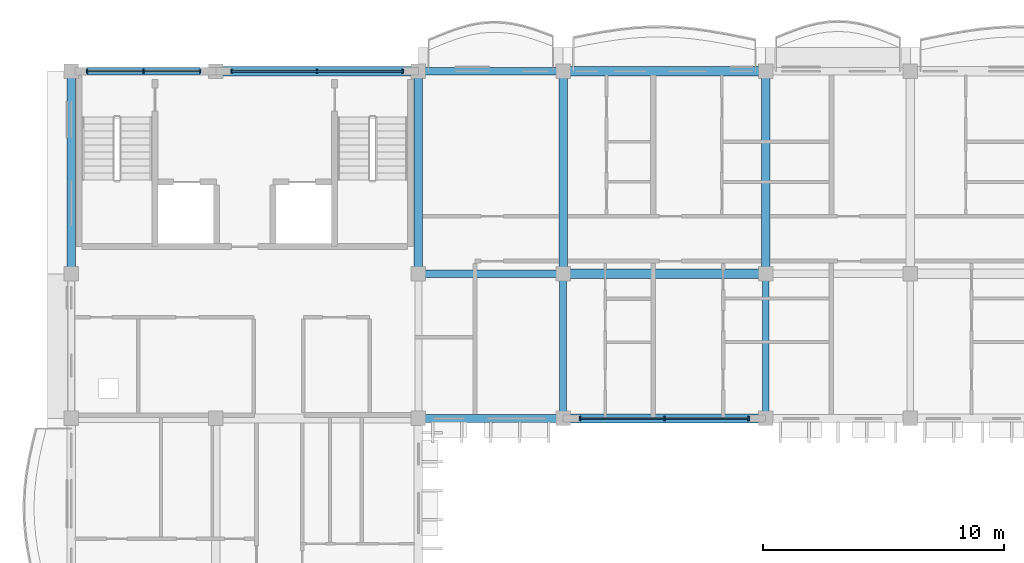
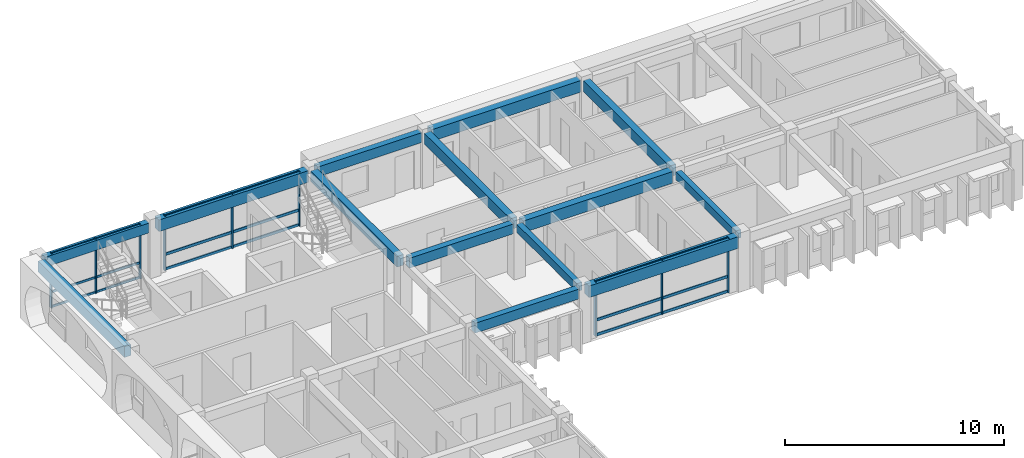
# One storey, part 9 of 68: 18 members, 14 beams, 3 elements without a shape of their own.
"""IFC4 building model written with IfcOpenShell, lengths in metres."""

import ifcopenshell
import ifcopenshell.guid

model = None  # the IFC model being written
_history = None  # IfcOwnerHistory: only IFC2X3 demands one
_inside = {}  # id of a spatial element -> (the spatial element, [elements in it])
_under = {}  # id of a project, library or spatial element -> (it, [spatial elements below it])
_declared = {}  # id of a project -> (the project, [libraries it declares])
_typed = {}  # id of a type object -> (the type object, [elements of that type])
_made_of = {}  # id of a material, layer set ... -> (it, [elements and type objects made of it])


def new_model(schema):
    """Start an empty IFC model of exactly this schema.

    Asked for "IFC4X3", IfcOpenShell would pick the latest addendum, in which some entities
    have other attributes; the version numbers below select the first issue.
    IFC2X3 requires an IfcOwnerHistory on every rooted entity: one is made here for all.
    """
    global model, _history
    if schema == "IFC4X3":
        model = ifcopenshell.file(schema_version=(4, 3, 0, 0))
    else:
        model = ifcopenshell.file(schema=schema)
    _inside.clear()
    _under.clear()
    _declared.clear()
    _typed.clear()
    _made_of.clear()
    _history = None
    if model.schema == "IFC2X3":
        org = make("IfcOrganization", Name="unknown")
        user = make(
            "IfcPersonAndOrganization",
            ThePerson=make("IfcPerson", FamilyName="unknown"),
            TheOrganization=org,
        )
        app = make(
            "IfcApplication",
            ApplicationDeveloper=org,
            Version="unknown",
            ApplicationFullName="unknown",
            ApplicationIdentifier="unknown",
        )
        _history = make(
            "IfcOwnerHistory",
            OwningUser=user,
            OwningApplication=app,
            ChangeAction="ADDED",
            CreationDate=0,
        )
    return model


def make(cls, **values):
    """One entity of the class cls with the attributes given. An attribute that is None is left unset."""
    return model.create_entity(
        cls, **{name: value for name, value in values.items() if value is not None}
    )


def rooted(cls, **values):
    """An entity with a GlobalId (a new one), such as an element, a storey or a relation."""
    return make(cls, GlobalId=ifcopenshell.guid.new(), OwnerHistory=_history, **values)


def si_unit(unit_type, name, prefix=None):
    """IfcSIUnit, for example si_unit("LENGTHUNIT", "METRE", prefix="MILLI")."""
    return make("IfcSIUnit", UnitType=unit_type, Prefix=prefix, Name=name)


def assignment(units):
    """IfcUnitAssignment: the units of a project."""
    return None if units is None else make("IfcUnitAssignment", Units=units)


def point(xyz):
    """IfcCartesianPoint."""
    return None if xyz is None else make("IfcCartesianPoint", Coordinates=xyz)


def direction(xyz):
    """IfcDirection."""
    return None if xyz is None else make("IfcDirection", DirectionRatios=xyz)


def frame(location, z_axis=None, x_axis=None):
    """IfcAxis2Placement3D, a coordinate frame: its origin and axes. An axis left out is left unset."""
    return make(
        "IfcAxis2Placement3D",
        Location=point(location),
        Axis=direction(z_axis),
        RefDirection=direction(x_axis),
    )


def frame_2d(location, x_axis=None):
    """IfcAxis2Placement2D, a coordinate frame in the plane: its origin and x axis."""
    return make(
        "IfcAxis2Placement2D", Location=point(location), RefDirection=direction(x_axis)
    )


def origin():
    """The frame at (0, 0, 0) with its axes left unset."""
    return frame((0.0, 0.0, 0.0))


def origin_2d():
    """The frame at (0, 0) in the plane with its x axis left unset."""
    return frame_2d((0.0, 0.0))


def place(relative_to, where):
    """IfcLocalPlacement: puts the frame where relative to a parent placement (None: the world)."""
    return make(
        "IfcLocalPlacement", PlacementRelTo=relative_to, RelativePlacement=where
    )


def context(
    kind, dimensions, precision=None, world=None, true_north=None, identifier=None
):
    """IfcGeometricRepresentationContext, for example the 3D "Model" context."""
    return make(
        "IfcGeometricRepresentationContext",
        ContextIdentifier=identifier,
        ContextType=kind,
        CoordinateSpaceDimension=dimensions,
        Precision=precision,
        WorldCoordinateSystem=world,
        TrueNorth=true_north,
    )


def subcontext(parent, identifier, kind, view, scale=None):
    """IfcGeometricRepresentationSubContext, for example "Body" below "Model"."""
    return make(
        "IfcGeometricRepresentationSubContext",
        ContextIdentifier=identifier,
        ContextType=kind,
        ParentContext=parent,
        TargetScale=scale,
        TargetView=view,
    )


def project(units=None, contexts=None):
    """IfcProject with its units and contexts."""
    return rooted(
        "IfcProject",
        Name="project",
        RepresentationContexts=contexts,
        UnitsInContext=assignment(units),
    )


def spatial(cls, under=None, at=None, **own):
    """A site, building, storey or space (cls), placed at a placement, below another one or the project."""
    s = rooted(cls, ObjectPlacement=at, **own)
    if under is not None:
        _under.setdefault(under.id(), (under, []))[1].append(s)
    return s


def profile(cls, at=None, kind="AREA", **sizes):
    """A parametric profile (cls). Its sizes go by their IFC names, for example OverallWidth=200.0."""
    return make(cls, ProfileType=kind, Position=at, **sizes)


def rectangle(**sizes):
    """IfcRectangleProfileDef."""
    return profile("IfcRectangleProfileDef", **sizes)


def extrude(swept, where, along, depth):
    """IfcExtrudedAreaSolid: the profile swept, set in the frame where, extruded along a direction by depth."""
    return make(
        "IfcExtrudedAreaSolid",
        SweptArea=swept,
        Position=where,
        ExtrudedDirection=direction(along),
        Depth=depth,
    )


def shape(context_of_items, identifier, shape_type, items):
    """IfcShapeRepresentation: the items that make up one representation, for example the "Body"."""
    return make(
        "IfcShapeRepresentation",
        ContextOfItems=context_of_items,
        RepresentationIdentifier=identifier,
        RepresentationType=shape_type,
        Items=items,
    )


def material(Name=None, Category=None):
    """IfcMaterial."""
    return make("IfcMaterial", Name=Name, Category=Category)


def material_profile(
    of_material, cross_section, Name=None, Category=None, Priority=None
):
    """IfcMaterialProfile: a cross section and its material."""
    return make(
        "IfcMaterialProfile",
        Name=Name,
        Material=of_material,
        Profile=cross_section,
        Priority=Priority,
        Category=Category,
    )


def profile_set(profiles, Name=None, composite=None):
    """IfcMaterialProfileSet."""
    return make(
        "IfcMaterialProfileSet",
        Name=Name,
        MaterialProfiles=profiles,
        CompositeProfile=composite,
    )


def made_of(thing, what):
    """Note that an element or type object is made of a material, layer set ...; save() writes the relation."""
    if what is not None:
        _made_of.setdefault(what.id(), (what, []))[1].append(thing)
    return thing


def type_object(cls, material=None, **own):
    """A type object (cls), such as IfcWallType, which elements share."""
    return made_of(rooted(cls, **own), material)


def element(
    cls,
    number,
    at=None,
    inside=None,
    cuts=None,
    type_object=None,
    material=None,
    context=None,
    identifier="Body",
    shape_type=None,
    held_by="IfcProductDefinitionShape",
    body=None,
    shapes=None,
    **own,
):
    """One element of the class cls, such as IfcWall. Its Tag is "e" and its number.

    at: its placement. inside: the storey or other place that contains it. cuts: it is an
    opening in that element (IfcRelVoidsElement). A single representation is given by context,
    identifier, shape_type and body (its items); several are given by shapes. held_by: the class
    of the entity that holds the representations. save() writes the other relations.
    """
    e = rooted(cls, Tag="e%d" % number, ObjectPlacement=at, **own)
    if body is not None:
        shapes = [shape(context, identifier, shape_type, body)]
    if shapes is not None:
        e.Representation = make(held_by, Representations=shapes)
    if inside is not None:
        _inside.setdefault(inside.id(), (inside, []))[1].append(e)
    if cuts is not None:
        rooted(
            "IfcRelVoidsElement", RelatingBuildingElement=cuts, RelatedOpeningElement=e
        )
    if type_object is not None:
        _typed.setdefault(type_object.id(), (type_object, []))[1].append(e)
    return made_of(e, material)


def aggregate(whole, parts):
    """IfcRelAggregates: a whole, such as a stair, and the parts it consists of."""
    return rooted("IfcRelAggregates", RelatingObject=whole, RelatedObjects=parts)


def save(model, path):
    """Write the relations noted so far, then the file.

    IfcRelAggregates (storeys below a building ...), IfcRelContainedInSpatialStructure (elements
    in a storey), IfcRelDefinesByType, IfcRelAssociatesMaterial and IfcRelDeclares: one each for
    every whole, place, type object, material and project.
    """
    for whole, parts in _under.values():
        aggregate(whole, parts)
    for where, things in _inside.values():
        rooted(
            "IfcRelContainedInSpatialStructure",
            RelatedElements=things,
            RelatingStructure=where,
        )
    for kind, things in _typed.values():
        rooted("IfcRelDefinesByType", RelatedObjects=things, RelatingType=kind)
    for what, things in _made_of.values():
        rooted("IfcRelAssociatesMaterial", RelatedObjects=things, RelatingMaterial=what)
    for by, libraries in _declared.values():
        rooted("IfcRelDeclares", RelatingContext=by, RelatedDefinitions=libraries)
    model.write(path)


model = new_model("IFC4")

# Units and contexts
model_context = context("Model", 3, precision=1e-05, world=origin(), true_north=direction((0.0, 1.0)))
body_context = subcontext(model_context, "Body", "Model", "MODEL_VIEW")
ifc_project = project(units=[si_unit("LENGTHUNIT", "METRE"), si_unit("AREAUNIT", "SQUARE_METRE"), si_unit("VOLUMEUNIT", "CUBIC_METRE"), si_unit("PLANEANGLEUNIT", "RADIAN"), si_unit("MASSUNIT", "GRAM", prefix="KILO"), si_unit("THERMODYNAMICTEMPERATUREUNIT", "KELVIN")], contexts=[model_context])

# Site, building, storey
site_placement = place(None, origin())
site = spatial("IfcSite", under=ifc_project, at=site_placement, CompositionType="ELEMENT")
building_placement = place(site_placement, origin())
building = spatial("IfcBuilding", under=site, at=building_placement, Name="Thalorik Housing Commons", CompositionType="ELEMENT")
storey_placement = place(building_placement, frame((0.0, 0.0, 24.60009765625)))
storey = spatial("IfcBuildingStorey", under=building, at=storey_placement, Name="L07", CompositionType="ELEMENT", Elevation=24.60009765625)

# Curtain wall, members
ifc_material_1 = material(Name="Anodised aluminium and solar-control low-E glass", Category="aluminium")
curtain_wall_type_1 = type_object("IfcCurtainWallType", Name="ARC-CW-CORE", PredefinedType="USERDEFINED", material=ifc_material_1)
curtain_wall_1_placement = place(storey_placement, origin())
curtain_wall_1 = element("IfcCurtainWall", 1, at=curtain_wall_1_placement, inside=storey, type_object=curtain_wall_type_1, Name="L07 Curtain Wall CW-CORE-L07-A-032", ObjectType="CURTAIN WALL", PredefinedType="USERDEFINED")
ifc_material_2 = material(Name="Anodised aluminium 6063-T6", Category="aluminium")
ifc_material_profile_1 = material_profile(ifc_material_2, rectangle(XDim=0.06005859375, YDim=0.159912109375, at=origin_2d()), Name="ALU MUL 60x160", Category="aluminium")
ifc_profile_set_1 = profile_set([ifc_material_profile_1], Name="Anodised aluminium 6063-T6")
member_type_1 = type_object("IfcMemberType", Name="ARC-CW-MUL-60x160", PredefinedType="MULLION", material=ifc_profile_set_1)
member_1_placement = place(storey_placement, frame((13.75, 123.60009765625, 0.0), z_axis=(0.0, 0.0, 1.0), x_axis=(-1.0, 0.0, 0.0)))
member_1 = element("IfcMember", 2, at=member_1_placement, type_object=member_type_1, Name="CW-CORE-L07-A-032 Mullion 1", PredefinedType="MULLION", context=body_context, shape_type="SweptSolid", body=[
    extrude(rectangle(XDim=0.06005859375, YDim=0.159912109375, at=origin_2d()), origin(), (0.0, 0.0, 1.0), 3.039794921875),
])
member_2_placement = place(storey_placement, frame((11.39990234375, 123.60009765625, 0.0), z_axis=(0.0, 0.0, 1.0), x_axis=(-1.0, 0.0, 0.0)))
member_2 = element("IfcMember", 3, at=member_2_placement, type_object=member_type_1, Name="CW-CORE-L07-A-032 Mullion 2", PredefinedType="MULLION", context=body_context, shape_type="SweptSolid", body=[
    extrude(rectangle(XDim=0.06005859375, YDim=0.159912109375, at=origin_2d()), origin(), (0.0, 0.0, 1.0), 3.039794921875),
])
member_3_placement = place(storey_placement, frame((9.050048828125, 123.60009765625, 0.0), z_axis=(0.0, 0.0, 1.0), x_axis=(-1.0, 0.0, 0.0)))
member_3 = element("IfcMember", 4, at=member_3_placement, type_object=member_type_1, Name="CW-CORE-L07-A-032 Mullion 3", PredefinedType="MULLION", context=body_context, shape_type="SweptSolid", body=[
    extrude(rectangle(XDim=0.06005859375, YDim=0.159912109375, at=origin_2d()), origin(), (0.0, 0.0, 1.0), 3.039794921875),
])

curtain_wall_type_2 = type_object("IfcCurtainWallType", Name="ARC-CW-LOUNGE", PredefinedType="USERDEFINED", material=ifc_material_1)
curtain_wall_2_placement = place(storey_placement, origin())
curtain_wall_2 = element("IfcCurtainWall", 5, at=curtain_wall_2_placement, inside=storey, type_object=curtain_wall_type_2, Name="L07 Curtain Wall CW-RES-L07-A-029", ObjectType="CURTAIN WALL", PredefinedType="USERDEFINED")
ifc_material_profile_2 = material_profile(ifc_material_2, rectangle(XDim=0.06494140625, YDim=0.179931640625, at=origin_2d()), Name="ALU MUL 65x180", Category="aluminium")
ifc_profile_set_2 = profile_set([ifc_material_profile_2], Name="Anodised aluminium 6063-T6")
member_type_2 = type_object("IfcMemberType", Name="ARC-CW-MUL-65x180", PredefinedType="MULLION", material=ifc_profile_set_2)
member_4_placement = place(storey_placement, frame((29.5, 109.199951171875, 0.0), z_axis=(0.0, 0.0, 1.0), x_axis=(1.0, 0.0, 0.0)))
member_4 = element("IfcMember", 6, at=member_4_placement, type_object=member_type_2, Name="CW-RES-L07-A-029 Mullion 1", PredefinedType="MULLION", context=body_context, shape_type="SweptSolid", body=[
    extrude(rectangle(XDim=0.06494140625, YDim=0.179931640625, at=origin_2d()), origin(), (0.0, 0.0, 1.0), 3.039794921875),
])
member_5_placement = place(storey_placement, frame((33.0, 109.199951171875, 0.0), z_axis=(0.0, 0.0, 1.0), x_axis=(1.0, 0.0, 0.0)))
member_5 = element("IfcMember", 7, at=member_5_placement, type_object=member_type_2, Name="CW-RES-L07-A-029 Mullion 2", PredefinedType="MULLION", context=body_context, shape_type="SweptSolid", body=[
    extrude(rectangle(XDim=0.06494140625, YDim=0.179931640625, at=origin_2d()), origin(), (0.0, 0.0, 1.0), 3.039794921875),
])
member_6_placement = place(storey_placement, frame((36.5, 109.199951171875, 0.0), z_axis=(0.0, 0.0, 1.0), x_axis=(1.0, 0.0, 0.0)))
member_6 = element("IfcMember", 8, at=member_6_placement, type_object=member_type_2, Name="CW-RES-L07-A-029 Mullion 3", PredefinedType="MULLION", context=body_context, shape_type="SweptSolid", body=[
    extrude(rectangle(XDim=0.06494140625, YDim=0.179931640625, at=origin_2d()), origin(), (0.0, 0.0, 1.0), 3.039794921875),
])

curtain_wall_3_placement = place(storey_placement, origin())
curtain_wall_3 = element("IfcCurtainWall", 9, at=curtain_wall_3_placement, inside=storey, type_object=curtain_wall_type_1, Name="L07 Curtain Wall CW-CORE-L07-A-031", ObjectType="CURTAIN WALL", PredefinedType="USERDEFINED")
member_7_placement = place(storey_placement, frame((22.14990234375, 123.60009765625, 0.0), z_axis=(0.0, 0.0, 1.0), x_axis=(-1.0, 0.0, 0.0)))
member_7 = element("IfcMember", 10, at=member_7_placement, type_object=member_type_2, Name="CW-CORE-L07-A-031 Mullion 1", PredefinedType="MULLION", context=body_context, shape_type="SweptSolid", body=[
    extrude(rectangle(XDim=0.06494140625, YDim=0.179931640625, at=origin_2d()), origin(), (0.0, 0.0, 1.0), 3.039794921875),
])
member_8_placement = place(storey_placement, frame((18.60009765625, 123.60009765625, 0.0), z_axis=(0.0, 0.0, 1.0), x_axis=(-1.0, 0.0, 0.0)))
member_8 = element("IfcMember", 11, at=member_8_placement, type_object=member_type_2, Name="CW-CORE-L07-A-031 Mullion 2", PredefinedType="MULLION", context=body_context, shape_type="SweptSolid", body=[
    extrude(rectangle(XDim=0.06494140625, YDim=0.179931640625, at=origin_2d()), origin(), (0.0, 0.0, 1.0), 3.039794921875),
])
member_9_placement = place(storey_placement, frame((15.050048828125, 123.60009765625, 0.0), z_axis=(0.0, 0.0, 1.0), x_axis=(-1.0, 0.0, 0.0)))
member_9 = element("IfcMember", 12, at=member_9_placement, type_object=member_type_2, Name="CW-CORE-L07-A-031 Mullion 3", PredefinedType="MULLION", context=body_context, shape_type="SweptSolid", body=[
    extrude(rectangle(XDim=0.06494140625, YDim=0.179931640625, at=origin_2d()), origin(), (0.0, 0.0, 1.0), 3.039794921875),
])

# Member
ifc_material_profile_3 = material_profile(ifc_material_2, rectangle(XDim=0.06005859375, YDim=0.1201171875, at=origin_2d()), Name="ALU TRN 60x120", Category="aluminium")
ifc_profile_set_3 = profile_set([ifc_material_profile_3], Name="Anodised aluminium 6063-T6")
member_type_3 = type_object("IfcMemberType", Name="ARC-CW-TRN-60x120", PredefinedType="USERDEFINED", material=ifc_profile_set_3)
member_10_placement = place(storey_placement, frame((13.75, 123.60009765625, 0.054931640625), z_axis=(-1.0, 0.0, 0.0), x_axis=(0.0, -1.0, 0.0)))
member_10 = element("IfcMember", 13, at=member_10_placement, type_object=member_type_3, Name="CW-CORE-L07-A-032 Transom 1", ObjectType="TRANSOM", PredefinedType="USERDEFINED", context=body_context, shape_type="SweptSolid", body=[
    extrude(rectangle(XDim=0.06005859375, YDim=0.1201171875, at=origin_2d()), origin(), (0.0, 0.0, 1.0), 4.699951171875),
])

member_11_placement = place(storey_placement, frame((13.75, 123.60009765625, 0.8798828125), z_axis=(-1.0, 0.0, 0.0), x_axis=(0.0, -1.0, 0.0)))
member_11 = element("IfcMember", 14, at=member_11_placement, type_object=member_type_3, Name="CW-CORE-L07-A-032 Transom 2", ObjectType="TRANSOM", PredefinedType="USERDEFINED", context=body_context, shape_type="SweptSolid", body=[
    extrude(rectangle(XDim=0.06005859375, YDim=0.1201171875, at=origin_2d()), origin(), (0.0, 0.0, 1.0), 4.699951171875),
])

member_12_placement = place(storey_placement, frame((13.75, 123.60009765625, 2.98486328125), z_axis=(-1.0, 0.0, 0.0), x_axis=(0.0, -1.0, 0.0)))
member_12 = element("IfcMember", 15, at=member_12_placement, type_object=member_type_3, Name="CW-CORE-L07-A-032 Transom 3", ObjectType="TRANSOM", PredefinedType="USERDEFINED", context=body_context, shape_type="SweptSolid", body=[
    extrude(rectangle(XDim=0.06005859375, YDim=0.1201171875, at=origin_2d()), origin(), (0.0, 0.0, 1.0), 4.699951171875),
])

aggregate(curtain_wall_1, [member_1, member_2, member_3, member_10, member_11, member_12])

ifc_material_profile_4 = material_profile(ifc_material_2, rectangle(XDim=0.06494140625, YDim=0.14990234375, at=origin_2d()), Name="ALU TRN 65x150", Category="aluminium")
ifc_profile_set_4 = profile_set([ifc_material_profile_4], Name="Anodised aluminium 6063-T6")
member_type_4 = type_object("IfcMemberType", Name="ARC-CW-TRN-65x150", PredefinedType="USERDEFINED", material=ifc_profile_set_4)
member_13_placement = place(storey_placement, frame((29.5, 109.199951171875, 0.054931640625), z_axis=(1.0, 0.0, 0.0), x_axis=(0.0, 1.0, 0.0)))
member_13 = element("IfcMember", 16, at=member_13_placement, type_object=member_type_4, Name="CW-RES-L07-A-029 Transom 1", ObjectType="TRANSOM", PredefinedType="USERDEFINED", context=body_context, shape_type="SweptSolid", body=[
    extrude(rectangle(XDim=0.06494140625, YDim=0.14990234375, at=origin_2d()), origin(), (0.0, 0.0, 1.0), 7.0),
])

member_14_placement = place(storey_placement, frame((29.5, 109.199951171875, 0.8798828125), z_axis=(1.0, 0.0, 0.0), x_axis=(0.0, 1.0, 0.0)))
member_14 = element("IfcMember", 17, at=member_14_placement, type_object=member_type_4, Name="CW-RES-L07-A-029 Transom 2", ObjectType="TRANSOM", PredefinedType="USERDEFINED", context=body_context, shape_type="SweptSolid", body=[
    extrude(rectangle(XDim=0.06494140625, YDim=0.14990234375, at=origin_2d()), origin(), (0.0, 0.0, 1.0), 7.0),
])

member_15_placement = place(storey_placement, frame((29.5, 109.199951171875, 2.98486328125), z_axis=(1.0, 0.0, 0.0), x_axis=(0.0, 1.0, 0.0)))
member_15 = element("IfcMember", 18, at=member_15_placement, type_object=member_type_4, Name="CW-RES-L07-A-029 Transom 3", ObjectType="TRANSOM", PredefinedType="USERDEFINED", context=body_context, shape_type="SweptSolid", body=[
    extrude(rectangle(XDim=0.06494140625, YDim=0.14990234375, at=origin_2d()), origin(), (0.0, 0.0, 1.0), 7.0),
])

aggregate(curtain_wall_2, [member_4, member_5, member_6, member_13, member_14, member_15])

member_16_placement = place(storey_placement, frame((22.14990234375, 123.60009765625, 0.054931640625), z_axis=(-1.0, 0.0, 0.0), x_axis=(0.0, -1.0, 0.0)))
member_16 = element("IfcMember", 19, at=member_16_placement, type_object=member_type_4, Name="CW-CORE-L07-A-031 Transom 1", ObjectType="TRANSOM", PredefinedType="USERDEFINED", context=body_context, shape_type="SweptSolid", body=[
    extrude(rectangle(XDim=0.06494140625, YDim=0.14990234375, at=origin_2d()), origin(), (0.0, 0.0, 1.0), 7.099853515625),
])

member_17_placement = place(storey_placement, frame((22.14990234375, 123.60009765625, 0.8798828125), z_axis=(-1.0, 0.0, 0.0), x_axis=(0.0, -1.0, 0.0)))
member_17 = element("IfcMember", 20, at=member_17_placement, type_object=member_type_4, Name="CW-CORE-L07-A-031 Transom 2", ObjectType="TRANSOM", PredefinedType="USERDEFINED", context=body_context, shape_type="SweptSolid", body=[
    extrude(rectangle(XDim=0.06494140625, YDim=0.14990234375, at=origin_2d()), origin(), (0.0, 0.0, 1.0), 7.099853515625),
])

member_18_placement = place(storey_placement, frame((22.14990234375, 123.60009765625, 2.98486328125), z_axis=(-1.0, 0.0, 0.0), x_axis=(0.0, -1.0, 0.0)))
member_18 = element("IfcMember", 21, at=member_18_placement, type_object=member_type_4, Name="CW-CORE-L07-A-031 Transom 3", ObjectType="TRANSOM", PredefinedType="USERDEFINED", context=body_context, shape_type="SweptSolid", body=[
    extrude(rectangle(XDim=0.06494140625, YDim=0.14990234375, at=origin_2d()), origin(), (0.0, 0.0, 1.0), 7.099853515625),
])

aggregate(curtain_wall_3, [member_7, member_8, member_9, member_16, member_17, member_18])

# Beams
ifc_material_3 = material(Name="Precast concrete C40/50", Category="concrete")
ifc_material_profile_5 = material_profile(ifc_material_3, rectangle(XDim=0.280029296875, YDim=0.449951171875, at=origin_2d()), Name="PC 280x450", Category="concrete")
ifc_profile_set_5 = profile_set([ifc_material_profile_5], Name="Precast concrete C40/50")
beam_type_1 = type_object("IfcBeamType", Name="STR-BM-PC280x450", PredefinedType="BEAM", material=ifc_profile_set_5)
for number, where, z_axis, x_axis, name in (
    (22, (28.800048828125, 109.449951171875, 2.81494140625), (0.0, 1.0, 0.0), (-1.0, 0.0, 0.0), "L07 Beam B-450"),
    (23, (37.199951171875, 109.449951171875, 2.81494140625), (0.0, 1.0, 0.0), (-1.0, 0.0, 0.0), "L07 Beam B-450"),
):
    element("IfcBeam", number, at=place(storey_placement, frame(where, z_axis=z_axis, x_axis=x_axis)), inside=storey, type_object=beam_type_1, Name=name, PredefinedType="BEAM", context=body_context, shape_type="SweptSolid", body=[
        extrude(rectangle(XDim=0.280029296875, YDim=0.449951171875, at=origin_2d()), origin(), (0.0, 0.0, 1.0), 5.5),
    ])
ifc_material_profile_6 = material_profile(ifc_material_3, rectangle(XDim=0.320068359375, YDim=0.550048828125, at=origin_2d()), Name="PC 320x550", Category="concrete")
ifc_profile_set_6 = profile_set([ifc_material_profile_6], Name="Precast concrete C40/50")
beam_type_2 = type_object("IfcBeamType", Name="STR-BM-PC320x550", PredefinedType="BEAM", material=ifc_profile_set_6)
for number, where, z_axis, x_axis, name in (
    (24, (23.050048828125, 109.199951171875, 2.764892578125), (1.0, 0.0, 0.0), (0.0, 1.0, 0.0), "L07 Beam B-550"),
    (25, (23.050048828125, 115.199951171875, 2.764892578125), (1.0, 0.0, 0.0), (0.0, 1.0, 0.0), "L07 Beam B-550"),
    (26, (8.64990234375, 123.60009765625, 2.764892578125), (1.0, 0.0, 0.0), (0.0, 1.0, 0.0), "L07 Beam B-550"),
    (27, (23.050048828125, 123.60009765625, 2.764892578125), (1.0, 0.0, 0.0), (0.0, 1.0, 0.0), "L07 Beam B-550"),
):
    element("IfcBeam", number, at=place(storey_placement, frame(where, z_axis=z_axis, x_axis=x_axis)), inside=storey, type_object=beam_type_2, Name=name, PredefinedType="BEAM", context=body_context, shape_type="SweptSolid", body=[
        extrude(rectangle(XDim=0.320068359375, YDim=0.550048828125, at=origin_2d()), origin(), (0.0, 0.0, 1.0), 5.5),
    ])
ifc_material_profile_7 = material_profile(ifc_material_3, rectangle(XDim=0.35009765625, YDim=0.60009765625, at=origin_2d()), Name="PC 350x600", Category="concrete")
ifc_profile_set_7 = profile_set([ifc_material_profile_7], Name="Precast concrete C40/50")
beam_type_3 = type_object("IfcBeamType", Name="STR-BM-PC350x600", PredefinedType="BEAM", material=ifc_profile_set_7)
for number, where, z_axis, x_axis, name in (
    (28, (8.39990234375, 115.449951171875, 2.739990234375), (0.0, 1.0, 0.0), (-1.0, 0.0, 0.0), "L07 Beam B-600"),
    (29, (22.800048828125, 115.449951171875, 2.739990234375), (0.0, 1.0, 0.0), (-1.0, 0.0, 0.0), "L07 Beam B-600"),
    (30, (28.800048828125, 115.449951171875, 2.739990234375), (0.0, 1.0, 0.0), (-1.0, 0.0, 0.0), "L07 Beam B-600"),
    (31, (37.199951171875, 115.449951171875, 2.739990234375), (0.0, 1.0, 0.0), (-1.0, 0.0, 0.0), "L07 Beam B-600"),
):
    element("IfcBeam", number, at=place(storey_placement, frame(where, z_axis=z_axis, x_axis=x_axis)), inside=storey, type_object=beam_type_3, Name=name, PredefinedType="BEAM", context=body_context, shape_type="SweptSolid", body=[
        extrude(rectangle(XDim=0.35009765625, YDim=0.60009765625, at=origin_2d()), origin(), (0.0, 0.0, 1.0), 7.900146484375),
    ])
ifc_material_profile_8 = material_profile(ifc_material_3, rectangle(XDim=0.3798828125, YDim=0.64990234375, at=origin_2d()), Name="PC 380x650", Category="concrete")
ifc_profile_set_8 = profile_set([ifc_material_profile_8], Name="Precast concrete C40/50")
beam_type_4 = type_object("IfcBeamType", Name="STR-BM-PC380x650", PredefinedType="BEAM", material=ifc_profile_set_8)
for number, where, z_axis, x_axis, name in (
    (32, (29.050048828125, 109.199951171875, 2.71484375), (1.0, 0.0, 0.0), (0.0, 1.0, 0.0), "L07 Beam B-650"),
    (33, (29.050048828125, 115.199951171875, 2.71484375), (1.0, 0.0, 0.0), (0.0, 1.0, 0.0), "L07 Beam B-650"),
):
    element("IfcBeam", number, at=place(storey_placement, frame(where, z_axis=z_axis, x_axis=x_axis)), inside=storey, type_object=beam_type_4, Name=name, PredefinedType="BEAM", context=body_context, shape_type="SweptSolid", body=[
        extrude(rectangle(XDim=0.3798828125, YDim=0.64990234375, at=origin_2d()), origin(), (0.0, 0.0, 1.0), 7.89990234375),
    ])
beam_1_placement = place(storey_placement, frame((14.64990234375, 123.60009765625, 2.71484375), z_axis=(1.0, 0.0, 0.0), x_axis=(0.0, 1.0, 0.0)))
element("IfcBeam", 34, at=beam_1_placement, inside=storey, type_object=beam_type_4, Name="L07 Beam B-650", PredefinedType="BEAM", context=body_context, shape_type="SweptSolid", body=[
    extrude(rectangle(XDim=0.3798828125, YDim=0.64990234375, at=origin_2d()), origin(), (0.0, 0.0, 1.0), 7.900146484375),
])
beam_2_placement = place(storey_placement, frame((29.050048828125, 123.60009765625, 2.71484375), z_axis=(1.0, 0.0, 0.0), x_axis=(0.0, 1.0, 0.0)))
element("IfcBeam", 35, at=beam_2_placement, inside=storey, type_object=beam_type_4, Name="L07 Beam B-650", PredefinedType="BEAM", context=body_context, shape_type="SweptSolid", body=[
    extrude(rectangle(XDim=0.3798828125, YDim=0.64990234375, at=origin_2d()), origin(), (0.0, 0.0, 1.0), 7.89990234375),
])

save(model, "model.ifc")
